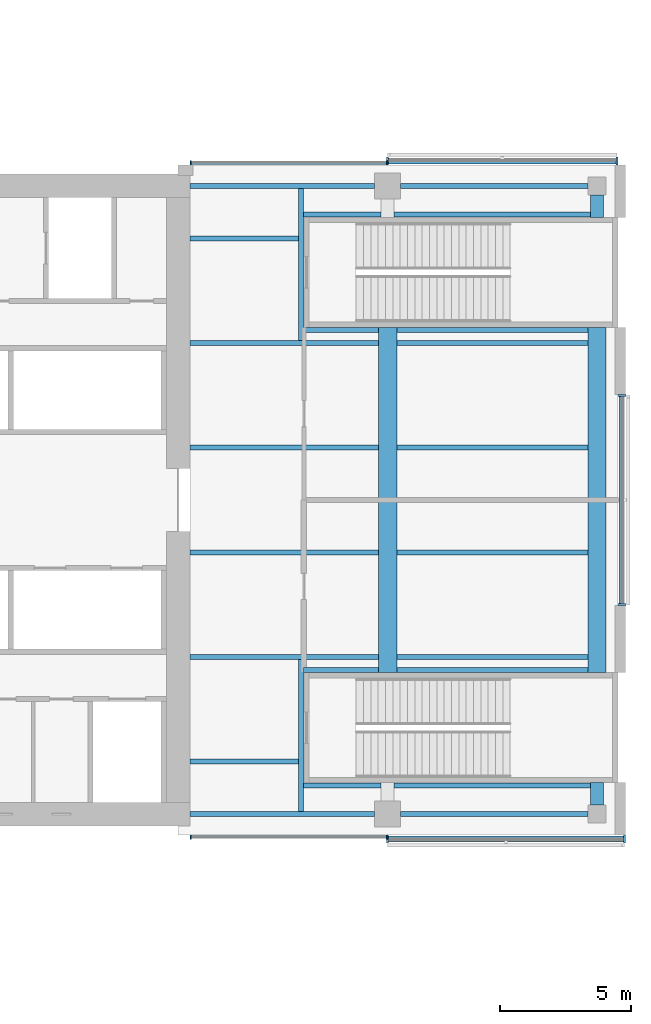
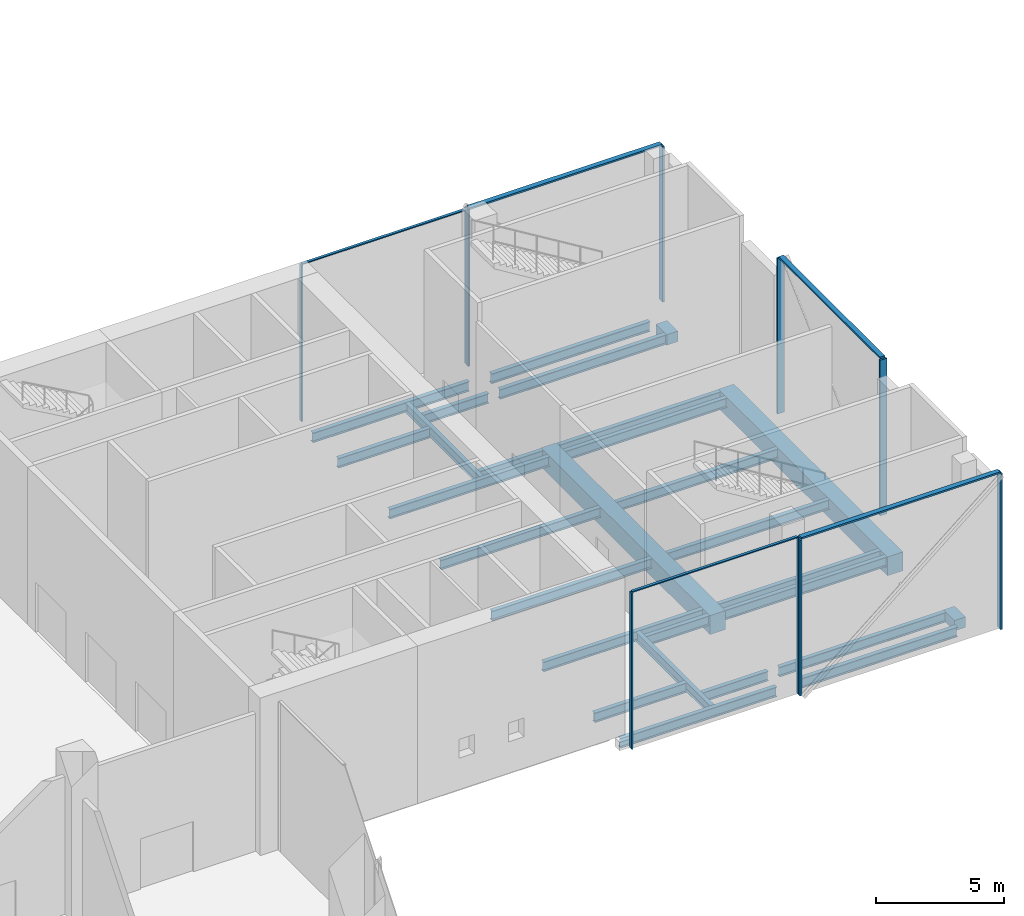
# One storey, part 7 of 25: 28 beams, 15 members, 5 elements without a shape of their own.
"""IFC4 building model written with IfcOpenShell, lengths in metres."""

from ifc_helpers import new_model, si_unit, direction, frame, origin, origin_2d, place, context, subcontext, project, spatial, rectangle, i_section, extrude, material, material_profile, profile_set, type_object, element, aggregate, save


model = new_model("IFC4")

# Units and contexts
model_context = context("Model", 3, precision=1e-05, world=origin(), true_north=direction((0.0, 1.0)))
body_context = subcontext(model_context, "Body", "Model", "MODEL_VIEW")
ifc_project = project(units=[si_unit("LENGTHUNIT", "METRE"), si_unit("AREAUNIT", "SQUARE_METRE"), si_unit("VOLUMEUNIT", "CUBIC_METRE"), si_unit("PLANEANGLEUNIT", "RADIAN"), si_unit("MASSUNIT", "GRAM", prefix="KILO")], contexts=[model_context])

# Site, building, storey
site_placement = place(None, origin())
site = spatial("IfcSite", under=ifc_project, at=site_placement, CompositionType="ELEMENT")
building_placement = place(site_placement, origin())
building = spatial("IfcBuilding", under=site, at=building_placement, Name="Crosswind Convention Tower", CompositionType="ELEMENT")
storey_placement = place(building_placement, frame((0.0, 0.0, 17.5)))
storey = spatial("IfcBuildingStorey", under=building, at=storey_placement, Name="L02", CompositionType="ELEMENT", Elevation=17.5)

# Beams
ifc_material_1 = material(Name="Steel S355", Category="steel")
ifc_material_profile_1 = material_profile(ifc_material_1, i_section(OverallWidth=0.19287109375, OverallDepth=0.467529296875, WebThickness=0.011474609375, FlangeThickness=0.01953125, FilletRadius=0.01025390625, at=origin_2d()), Name="UB 457x191x98")
ifc_profile_set_1 = profile_set([ifc_material_profile_1], Name="Steel S355")
beam_type_1 = type_object("IfcBeamType", Name="Edge beam UB 457x191x98", PredefinedType="SPANDREL", material=ifc_profile_set_1)
for number, where, z_axis, x_axis, name in (
    (1, (153.449951171875, 88.0, -0.6337890625), (1.0, 0.0, 0.0), (0.0, 1.0, 0.0), "B20 L02 edge beam 21"),
    (2, (153.449951171875, 112.0, -0.6337890625), (1.0, 0.0, 0.0), (0.0, 1.0, 0.0), "B20 L02 edge beam 22"),
):
    element("IfcBeam", number, at=place(storey_placement, frame(where, z_axis=z_axis, x_axis=x_axis)), inside=storey, type_object=beam_type_1, Name=name, PredefinedType="SPANDREL", context=body_context, shape_type="SweptSolid", body=[
        extrude(i_section(OverallWidth=0.19287109375, OverallDepth=0.467529296875, WebThickness=0.011474609375, FlangeThickness=0.01953125, FilletRadius=0.01025390625, at=origin_2d()), origin(), (0.0, 0.0, 1.0), 7.050048828125),
    ])
for number, where, z_axis, x_axis, name in (
    (3, (161.5, 88.0, -0.6337890625), (1.0, 0.0, 0.0), (0.0, 1.0, 0.0), "B20 L02 edge beam 23"),
    (4, (161.5, 112.0, -0.6337890625), (1.0, 0.0, 0.0), (0.0, 1.0, 0.0), "B20 L02 edge beam 24"),
):
    element("IfcBeam", number, at=place(storey_placement, frame(where, z_axis=z_axis, x_axis=x_axis)), inside=storey, type_object=beam_type_1, Name=name, PredefinedType="SPANDREL", context=body_context, shape_type="SweptSolid", body=[
        extrude(i_section(OverallWidth=0.19287109375, OverallDepth=0.467529296875, WebThickness=0.011474609375, FlangeThickness=0.01953125, FilletRadius=0.01025390625, at=origin_2d()), origin(), (0.0, 0.0, 1.0), 7.14990234375),
    ])

# Curtain wall, members
ifc_material_2 = material(Name="Aluminium unitised curtain wall", Category="aluminium")
curtain_wall_type_1 = type_object("IfcCurtainWallType", Name="CORE END SLOT WALL 160", PredefinedType="USERDEFINED", material=ifc_material_2)
curtain_wall_1_placement = place(storey_placement, origin())
curtain_wall_1 = element("IfcCurtainWall", 5, at=curtain_wall_1_placement, inside=storey, type_object=curtain_wall_type_1, Name="CW6 L02 E-N.1-2 slot", ObjectType="UNITISED", PredefinedType="USERDEFINED")
ifc_material_3 = material(Name="Aluminium mullion", Category="aluminium")
ifc_material_profile_2 = material_profile(ifc_material_3, rectangle(XDim=0.159912109375, YDim=0.050048828125, at=origin_2d()), Name="AL 160X50")
ifc_profile_set_2 = profile_set([ifc_material_profile_2], Name="Aluminium mullion")
member_type_1 = type_object("IfcMemberType", Name="MULLION 50X160", PredefinedType="MULLION", material=ifc_profile_set_2)
member_1_placement = place(storey_placement, frame((160.97509765625, 112.8798828125, -0.39990234375), z_axis=(0.0, 0.0, 1.0), x_axis=(0.0, 1.0, 0.0)))
member_1 = element("IfcMember", 6, at=member_1_placement, type_object=member_type_1, Name="CW6 mullion 1", PredefinedType="MULLION", context=body_context, shape_type="SweptSolid", body=[
    extrude(rectangle(XDim=0.159912109375, YDim=0.050048828125, at=origin_2d()), origin(), (0.0, 0.0, 1.0), 7.449951171875),
])
member_2_placement = place(storey_placement, frame((153.47509765625, 112.8798828125, -0.39990234375), z_axis=(0.0, 0.0, 1.0), x_axis=(0.0, 1.0, 0.0)))
member_2 = element("IfcMember", 7, at=member_2_placement, type_object=member_type_1, Name="CW6 mullion 2", PredefinedType="MULLION", context=body_context, shape_type="SweptSolid", body=[
    extrude(rectangle(XDim=0.159912109375, YDim=0.050048828125, at=origin_2d()), origin(), (0.0, 0.0, 1.0), 7.449951171875),
])

curtain_wall_2_placement = place(storey_placement, origin())
curtain_wall_2 = element("IfcCurtainWall", 8, at=curtain_wall_2_placement, inside=storey, type_object=curtain_wall_type_1, Name="CW6 L02 E-S.2-1 slot", ObjectType="UNITISED", PredefinedType="USERDEFINED")
member_3_placement = place(storey_placement, frame((153.47509765625, 87.1201171875, -0.39990234375), z_axis=(0.0, 0.0, 1.0), x_axis=(0.0, -1.0, 0.0)))
member_3 = element("IfcMember", 9, at=member_3_placement, type_object=member_type_1, Name="CW6 mullion 1", PredefinedType="MULLION", context=body_context, shape_type="SweptSolid", body=[
    extrude(rectangle(XDim=0.159912109375, YDim=0.050048828125, at=origin_2d()), origin(), (0.0, 0.0, 1.0), 7.449951171875),
])
member_4_placement = place(storey_placement, frame((160.97509765625, 87.1201171875, -0.39990234375), z_axis=(0.0, 0.0, 1.0), x_axis=(0.0, -1.0, 0.0)))
member_4 = element("IfcMember", 10, at=member_4_placement, type_object=member_type_1, Name="CW6 mullion 2", PredefinedType="MULLION", context=body_context, shape_type="SweptSolid", body=[
    extrude(rectangle(XDim=0.159912109375, YDim=0.050048828125, at=origin_2d()), origin(), (0.0, 0.0, 1.0), 7.449951171875),
])

curtain_wall_type_2 = type_object("IfcCurtainWallType", Name="PODIUM UNITISED WALL 300", PredefinedType="USERDEFINED", material=ifc_material_2)
curtain_wall_3_placement = place(storey_placement, origin())
curtain_wall_3 = element("IfcCurtainWall", 11, at=curtain_wall_3_placement, inside=storey, type_object=curtain_wall_type_2, Name="CW1 L02 E-TIP 1", ObjectType="UNITISED", PredefinedType="USERDEFINED")
ifc_material_profile_3 = material_profile(ifc_material_3, rectangle(XDim=0.300048828125, YDim=0.080078125, at=origin_2d()), Name="AL 300X80")
ifc_profile_set_3 = profile_set([ifc_material_profile_3], Name="Aluminium mullion")
member_type_2 = type_object("IfcMemberType", Name="MULLION 80X300", PredefinedType="MULLION", material=ifc_profile_set_3)
member_5_placement = place(storey_placement, frame((169.949951171875, 96.0, -0.39990234375), z_axis=(0.0, 0.0, 1.0), x_axis=(1.0, 0.0, 0.0)))
member_5 = element("IfcMember", 12, at=member_5_placement, type_object=member_type_2, Name="CW1 mullion 1", PredefinedType="MULLION", context=body_context, shape_type="SweptSolid", body=[
    extrude(rectangle(XDim=0.300048828125, YDim=0.080078125, at=origin_2d()), origin(), (0.0, 0.0, 1.0), 7.419921875),
])
member_6_placement = place(storey_placement, frame((169.949951171875, 104.0, -0.39990234375), z_axis=(0.0, 0.0, 1.0), x_axis=(1.0, 0.0, 0.0)))
member_6 = element("IfcMember", 13, at=member_6_placement, type_object=member_type_2, Name="CW1 mullion 2", PredefinedType="MULLION", context=body_context, shape_type="SweptSolid", body=[
    extrude(rectangle(XDim=0.300048828125, YDim=0.080078125, at=origin_2d()), origin(), (0.0, 0.0, 1.0), 7.419921875),
])

curtain_wall_4_placement = place(storey_placement, origin())
curtain_wall_4 = element("IfcCurtainWall", 14, at=curtain_wall_4_placement, inside=storey, type_object=curtain_wall_type_2, Name="CW1 L02 E-N 1", ObjectType="UNITISED", PredefinedType="USERDEFINED")
member_7_placement = place(storey_placement, frame((169.760009765625, 112.949951171875, -0.39990234375), z_axis=(0.0, 0.0, 1.0), x_axis=(0.0, 1.0, 0.0)))
member_7 = element("IfcMember", 15, at=member_7_placement, type_object=member_type_2, Name="CW1 mullion 1", PredefinedType="MULLION", context=body_context, shape_type="SweptSolid", body=[
    extrude(rectangle(XDim=0.300048828125, YDim=0.080078125, at=origin_2d()), origin(), (0.0, 0.0, 1.0), 7.419921875),
])
member_8_placement = place(storey_placement, frame((161.0, 112.949951171875, -0.39990234375), z_axis=(0.0, 0.0, 1.0), x_axis=(0.0, 1.0, 0.0)))
member_8 = element("IfcMember", 16, at=member_8_placement, type_object=member_type_2, Name="CW1 mullion 2", PredefinedType="MULLION", context=body_context, shape_type="SweptSolid", body=[
    extrude(rectangle(XDim=0.300048828125, YDim=0.080078125, at=origin_2d()), origin(), (0.0, 0.0, 1.0), 7.419921875),
])

curtain_wall_5_placement = place(storey_placement, origin())
curtain_wall_5 = element("IfcCurtainWall", 17, at=curtain_wall_5_placement, inside=storey, type_object=curtain_wall_type_2, Name="CW1 L02 E-S 2", ObjectType="UNITISED", PredefinedType="USERDEFINED")
member_9_placement = place(storey_placement, frame((161.0, 87.050048828125, -0.39990234375), z_axis=(0.0, 0.0, 1.0), x_axis=(0.0, -1.0, 0.0)))
member_9 = element("IfcMember", 18, at=member_9_placement, type_object=member_type_2, Name="CW1 mullion 1", PredefinedType="MULLION", context=body_context, shape_type="SweptSolid", body=[
    extrude(rectangle(XDim=0.300048828125, YDim=0.080078125, at=origin_2d()), origin(), (0.0, 0.0, 1.0), 7.419921875),
])
member_10_placement = place(storey_placement, frame((170.044921875, 87.050048828125, -0.39990234375), z_axis=(0.0, 0.0, 1.0), x_axis=(0.0, -1.0, 0.0)))
member_10 = element("IfcMember", 19, at=member_10_placement, type_object=member_type_2, Name="CW1 mullion 2", PredefinedType="MULLION", context=body_context, shape_type="SweptSolid", body=[
    extrude(rectangle(XDim=0.300048828125, YDim=0.080078125, at=origin_2d()), origin(), (0.0, 0.0, 1.0), 7.419921875),
])

# Beams
ifc_material_4 = material(Name="Concrete C60/75", Category="concrete")
ifc_material_profile_4 = material_profile(ifc_material_4, rectangle(XDim=0.699951171875, YDim=0.89990234375, at=origin_2d()), Name="RC 700X900")
ifc_profile_set_4 = profile_set([ifc_material_profile_4], Name="Concrete C60/75")
beam_type_2 = type_object("IfcBeamType", Name="Prestressed concrete girder between stair walls RC 700X900", PredefinedType="BEAM", material=ifc_profile_set_4)
for number, where, z_axis, x_axis, name in (
    (20, (161.0, 93.39990234375, -0.85009765625), (0.0, 1.0, 0.0), (-1.0, 0.0, 0.0), "B41 L02 prestressed concrete girder between stair walls 7"),
    (21, (169.0, 93.39990234375, -0.85009765625), (0.0, 1.0, 0.0), (-1.0, 0.0, 0.0), "B41 L02 prestressed concrete girder between stair walls 8"),
):
    element("IfcBeam", number, at=place(storey_placement, frame(where, z_axis=z_axis, x_axis=x_axis)), inside=storey, type_object=beam_type_2, Name=name, PredefinedType="BEAM", context=body_context, shape_type="SweptSolid", body=[
        extrude(rectangle(XDim=0.699951171875, YDim=0.89990234375, at=origin_2d()), origin(), (0.0, 0.0, 1.0), 13.2001953125),
    ])
ifc_material_profile_5 = material_profile(ifc_material_1, i_section(OverallWidth=0.19140625, OverallDepth=0.460205078125, WebThickness=0.010009765625, FlangeThickness=0.01611328125, FilletRadius=0.01025390625, at=origin_2d()), Name="UB 457x191x82")
ifc_profile_set_5 = profile_set([ifc_material_profile_5], Name="Steel S355")
beam_type_3 = type_object("IfcBeamType", Name="Secondary beam UB 457x191x82", PredefinedType="JOIST", material=ifc_profile_set_5)
beam_1_placement = place(storey_placement, frame((153.449951171875, 90.0, -0.630126953125), z_axis=(1.0, 0.0, 0.0), x_axis=(0.0, 1.0, 0.0)))
element("IfcBeam", 22, at=beam_1_placement, inside=storey, type_object=beam_type_3, Name="B13 L02 secondary beam 64", PredefinedType="JOIST", context=body_context, shape_type="SweptSolid", body=[
    extrude(i_section(OverallWidth=0.19140625, OverallDepth=0.460205078125, WebThickness=0.010009765625, FlangeThickness=0.01611328125, FilletRadius=0.01025390625, at=origin_2d()), origin(), (0.0, 0.0, 1.0), 4.14404296875),
])
for number, where, z_axis, x_axis, name in (
    (23, (153.449951171875, 94.0, -0.630126953125), (1.0, 0.0, 0.0), (0.0, 1.0, 0.0), "B13 L02 secondary beam 65"),
    (24, (153.449951171875, 98.0, -0.630126953125), (1.0, 0.0, 0.0), (0.0, 1.0, 0.0), "B13 L02 secondary beam 66"),
    (25, (153.449951171875, 102.0, -0.630126953125), (1.0, 0.0, 0.0), (0.0, 1.0, 0.0), "B13 L02 secondary beam 67"),
    (26, (153.449951171875, 106.0, -0.630126953125), (1.0, 0.0, 0.0), (0.0, 1.0, 0.0), "B13 L02 secondary beam 68"),
):
    element("IfcBeam", number, at=place(storey_placement, frame(where, z_axis=z_axis, x_axis=x_axis)), inside=storey, type_object=beam_type_3, Name=name, PredefinedType="JOIST", context=body_context, shape_type="SweptSolid", body=[
        extrude(i_section(OverallWidth=0.19140625, OverallDepth=0.460205078125, WebThickness=0.010009765625, FlangeThickness=0.01611328125, FilletRadius=0.01025390625, at=origin_2d()), origin(), (0.0, 0.0, 1.0), 7.199951171875),
    ])
beam_2_placement = place(storey_placement, frame((153.449951171875, 110.0, -0.630126953125), z_axis=(1.0, 0.0, 0.0), x_axis=(0.0, 1.0, 0.0)))
element("IfcBeam", 27, at=beam_2_placement, inside=storey, type_object=beam_type_3, Name="B13 L02 secondary beam 69", PredefinedType="JOIST", context=body_context, shape_type="SweptSolid", body=[
    extrude(i_section(OverallWidth=0.19140625, OverallDepth=0.460205078125, WebThickness=0.010009765625, FlangeThickness=0.01611328125, FilletRadius=0.01025390625, at=origin_2d()), origin(), (0.0, 0.0, 1.0), 4.14404296875),
])
for number, where, z_axis, x_axis, name in (
    (28, (161.35009765625, 94.0, -0.630126953125), (1.0, 0.0, 0.0), (0.0, 1.0, 0.0), "B13 L02 secondary beam 70"),
    (29, (161.35009765625, 98.0, -0.630126953125), (1.0, 0.0, 0.0), (0.0, 1.0, 0.0), "B13 L02 secondary beam 71"),
    (30, (161.35009765625, 102.0, -0.630126953125), (1.0, 0.0, 0.0), (0.0, 1.0, 0.0), "B13 L02 secondary beam 72"),
    (31, (161.35009765625, 106.0, -0.630126953125), (1.0, 0.0, 0.0), (0.0, 1.0, 0.0), "B13 L02 secondary beam 73"),
):
    element("IfcBeam", number, at=place(storey_placement, frame(where, z_axis=z_axis, x_axis=x_axis)), inside=storey, type_object=beam_type_3, Name=name, PredefinedType="JOIST", context=body_context, shape_type="SweptSolid", body=[
        extrude(i_section(OverallWidth=0.19140625, OverallDepth=0.460205078125, WebThickness=0.010009765625, FlangeThickness=0.01611328125, FilletRadius=0.01025390625, at=origin_2d()), origin(), (0.0, 0.0, 1.0), 7.2998046875),
    ])
ifc_material_profile_6 = material_profile(ifc_material_4, rectangle(XDim=0.5, YDim=0.5, at=origin_2d()), Name="RC 500X500")
ifc_profile_set_6 = profile_set([ifc_material_profile_6], Name="Concrete C60/75")
beam_type_4 = type_object("IfcBeamType", Name="Slab edge tie beam RC 500X500", PredefinedType="BEAM", material=ifc_profile_set_6)
for number, where, z_axis, x_axis, name in (
    (32, (169.0, 88.35009765625, -0.64990234375), (0.0, 1.0, 0.0), (-1.0, 0.0, 0.0), "B42 L02 slab edge tie beam 15"),
    (33, (169.0, 110.800048828125, -0.64990234375), (0.0, 1.0, 0.0), (-1.0, 0.0, 0.0), "B42 L02 slab edge tie beam 16"),
):
    element("IfcBeam", number, at=place(storey_placement, frame(where, z_axis=z_axis, x_axis=x_axis)), inside=storey, type_object=beam_type_4, Name=name, PredefinedType="BEAM", context=body_context, shape_type="SweptSolid", body=[
        extrude(rectangle(XDim=0.5, YDim=0.5, at=origin_2d()), origin(), (0.0, 0.0, 1.0), 0.849853515625),
    ])

# Member
ifc_material_5 = material(Name="Aluminium transom", Category="aluminium")
ifc_material_profile_7 = material_profile(ifc_material_5, rectangle(XDim=0.1201171875, YDim=0.050048828125, at=origin_2d()), Name="AL 120X50")
ifc_profile_set_7 = profile_set([ifc_material_profile_7], Name="Aluminium transom")
member_type_3 = type_object("IfcMemberType", Name="TRANSOM 50X120", PredefinedType="USERDEFINED", material=ifc_profile_set_7)
member_11_placement = place(storey_placement, frame((160.949951171875, 112.8798828125, 7.074951171875), z_axis=(-1.0, 0.0, 0.0), x_axis=(0.0, -1.0, 0.0)))
member_11 = element("IfcMember", 34, at=member_11_placement, type_object=member_type_3, Name="CW6 transom", ObjectType="TRANSOM", PredefinedType="USERDEFINED", context=body_context, shape_type="SweptSolid", body=[
    extrude(rectangle(XDim=0.1201171875, YDim=0.050048828125, at=origin_2d()), origin(), (0.0, 0.0, 1.0), 7.449951171875),
])

aggregate(curtain_wall_1, [member_1, member_2, member_11])

member_12_placement = place(storey_placement, frame((153.5, 87.1201171875, 7.074951171875), z_axis=(1.0, 0.0, 0.0), x_axis=(0.0, 1.0, 0.0)))
member_12 = element("IfcMember", 35, at=member_12_placement, type_object=member_type_3, Name="CW6 transom", ObjectType="TRANSOM", PredefinedType="USERDEFINED", context=body_context, shape_type="SweptSolid", body=[
    extrude(rectangle(XDim=0.1201171875, YDim=0.050048828125, at=origin_2d()), origin(), (0.0, 0.0, 1.0), 7.449951171875),
])

aggregate(curtain_wall_2, [member_3, member_4, member_12])

ifc_material_profile_8 = material_profile(ifc_material_5, rectangle(XDim=0.219970703125, YDim=0.080078125, at=origin_2d()), Name="AL 220X80")
ifc_profile_set_8 = profile_set([ifc_material_profile_8], Name="Aluminium transom")
member_type_4 = type_object("IfcMemberType", Name="TRANSOM 80X220", PredefinedType="USERDEFINED", material=ifc_profile_set_8)
member_13_placement = place(storey_placement, frame((169.949951171875, 96.0400390625, 7.06005859375), z_axis=(0.0, 1.0, 0.0), x_axis=(-1.0, 0.0, 0.0)))
member_13 = element("IfcMember", 36, at=member_13_placement, type_object=member_type_4, Name="CW1 transom", ObjectType="TRANSOM", PredefinedType="USERDEFINED", context=body_context, shape_type="SweptSolid", body=[
    extrude(rectangle(XDim=0.219970703125, YDim=0.080078125, at=origin_2d()), origin(), (0.0, 0.0, 1.0), 7.919921875),
])

aggregate(curtain_wall_3, [member_5, member_6, member_13])

member_14_placement = place(storey_placement, frame((169.719970703125, 112.949951171875, 7.06005859375), z_axis=(-1.0, 0.0, 0.0), x_axis=(0.0, -1.0, 0.0)))
member_14 = element("IfcMember", 37, at=member_14_placement, type_object=member_type_4, Name="CW1 transom", ObjectType="TRANSOM", PredefinedType="USERDEFINED", context=body_context, shape_type="SweptSolid", body=[
    extrude(rectangle(XDim=0.219970703125, YDim=0.080078125, at=origin_2d()), origin(), (0.0, 0.0, 1.0), 8.679931640625),
])

aggregate(curtain_wall_4, [member_7, member_8, member_14])

member_15_placement = place(storey_placement, frame((161.0400390625, 87.050048828125, 7.06005859375), z_axis=(1.0, 0.0, 0.0), x_axis=(0.0, 1.0, 0.0)))
member_15 = element("IfcMember", 38, at=member_15_placement, type_object=member_type_4, Name="CW1 transom", ObjectType="TRANSOM", PredefinedType="USERDEFINED", context=body_context, shape_type="SweptSolid", body=[
    extrude(rectangle(XDim=0.219970703125, YDim=0.080078125, at=origin_2d()), origin(), (0.0, 0.0, 1.0), 8.96484375),
])

aggregate(curtain_wall_5, [member_9, member_10, member_15])

# Beams
ifc_material_profile_9 = material_profile(ifc_material_1, i_section(OverallWidth=0.19189453125, OverallDepth=0.463623046875, WebThickness=0.010498046875, FlangeThickness=0.017578125, FilletRadius=0.01025390625, at=origin_2d()), Name="UB 457x191x90")
ifc_profile_set_9 = profile_set([ifc_material_profile_9], Name="Steel S355")
beam_type_5 = type_object("IfcBeamType", Name="Trimmer beam UB 457x191x90", PredefinedType="BEAM", material=ifc_profile_set_9)
for number, where, z_axis, x_axis, name in (
    (39, (157.68994140625, 88.096435546875, -0.6318359375), (0.0, 1.0, 0.0), (-1.0, 0.0, 0.0), "B33 L02 trimmer beam 31"),
    (40, (157.68994140625, 106.095703125, -0.6318359375), (0.0, 1.0, 0.0), (-1.0, 0.0, 0.0), "B33 L02 trimmer beam 32"),
):
    element("IfcBeam", number, at=place(storey_placement, frame(where, z_axis=z_axis, x_axis=x_axis)), inside=storey, type_object=beam_type_5, Name=name, PredefinedType="BEAM", context=body_context, shape_type="SweptSolid", body=[
        extrude(i_section(OverallWidth=0.19189453125, OverallDepth=0.463623046875, WebThickness=0.010498046875, FlangeThickness=0.017578125, FilletRadius=0.01025390625, at=origin_2d()), origin(), (0.0, 0.0, 1.0), 5.807861328125),
    ])
beam_3_placement = place(storey_placement, frame((157.785888671875, 89.090087890625, -0.6318359375), z_axis=(1.0, 0.0, 0.0), x_axis=(0.0, 1.0, 0.0)))
element("IfcBeam", 41, at=beam_3_placement, inside=storey, type_object=beam_type_5, Name="B33 L02 trimmer beam 33", PredefinedType="BEAM", context=body_context, shape_type="SweptSolid", body=[
    extrude(i_section(OverallWidth=0.19189453125, OverallDepth=0.463623046875, WebThickness=0.010498046875, FlangeThickness=0.017578125, FilletRadius=0.01025390625, at=origin_2d()), origin(), (0.0, 0.0, 1.0), 2.964111328125),
])
for number, where, z_axis, x_axis, name in (
    (42, (157.785888671875, 93.510009765625, -0.6318359375), (1.0, 0.0, 0.0), (0.0, 1.0, 0.0), "B33 L02 trimmer beam 34"),
    (43, (157.785888671875, 106.489990234375, -0.6318359375), (1.0, 0.0, 0.0), (0.0, 1.0, 0.0), "B33 L02 trimmer beam 35"),
):
    element("IfcBeam", number, at=place(storey_placement, frame(where, z_axis=z_axis, x_axis=x_axis)), inside=storey, type_object=beam_type_5, Name=name, PredefinedType="BEAM", context=body_context, shape_type="SweptSolid", body=[
        extrude(i_section(OverallWidth=0.19189453125, OverallDepth=0.463623046875, WebThickness=0.010498046875, FlangeThickness=0.017578125, FilletRadius=0.01025390625, at=origin_2d()), origin(), (0.0, 0.0, 1.0), 2.864013671875),
    ])
beam_4_placement = place(storey_placement, frame((157.785888671875, 110.909912109375, -0.6318359375), z_axis=(1.0, 0.0, 0.0), x_axis=(0.0, 1.0, 0.0)))
element("IfcBeam", 44, at=beam_4_placement, inside=storey, type_object=beam_type_5, Name="B33 L02 trimmer beam 36", PredefinedType="BEAM", context=body_context, shape_type="SweptSolid", body=[
    extrude(i_section(OverallWidth=0.19189453125, OverallDepth=0.463623046875, WebThickness=0.010498046875, FlangeThickness=0.017578125, FilletRadius=0.01025390625, at=origin_2d()), origin(), (0.0, 0.0, 1.0), 2.964111328125),
])
for number, where, z_axis, x_axis, name in (
    (45, (161.25, 89.090087890625, -0.6318359375), (1.0, 0.0, 0.0), (0.0, 1.0, 0.0), "B33 L02 trimmer beam 37"),
    (46, (161.25, 110.909912109375, -0.6318359375), (1.0, 0.0, 0.0), (0.0, 1.0, 0.0), "B33 L02 trimmer beam 38"),
):
    element("IfcBeam", number, at=place(storey_placement, frame(where, z_axis=z_axis, x_axis=x_axis)), inside=storey, type_object=beam_type_5, Name=name, PredefinedType="BEAM", context=body_context, shape_type="SweptSolid", body=[
        extrude(i_section(OverallWidth=0.19189453125, OverallDepth=0.463623046875, WebThickness=0.010498046875, FlangeThickness=0.017578125, FilletRadius=0.01025390625, at=origin_2d()), origin(), (0.0, 0.0, 1.0), 7.5),
    ])
for number, where, z_axis, x_axis, name in (
    (47, (161.35009765625, 93.510009765625, -0.6318359375), (1.0, 0.0, 0.0), (0.0, 1.0, 0.0), "B33 L02 trimmer beam 39"),
    (48, (161.35009765625, 106.489990234375, -0.6318359375), (1.0, 0.0, 0.0), (0.0, 1.0, 0.0), "B33 L02 trimmer beam 40"),
):
    element("IfcBeam", number, at=place(storey_placement, frame(where, z_axis=z_axis, x_axis=x_axis)), inside=storey, type_object=beam_type_5, Name=name, PredefinedType="BEAM", context=body_context, shape_type="SweptSolid", body=[
        extrude(i_section(OverallWidth=0.19189453125, OverallDepth=0.463623046875, WebThickness=0.010498046875, FlangeThickness=0.017578125, FilletRadius=0.01025390625, at=origin_2d()), origin(), (0.0, 0.0, 1.0), 7.2998046875),
    ])

save(model, "model.ifc")
